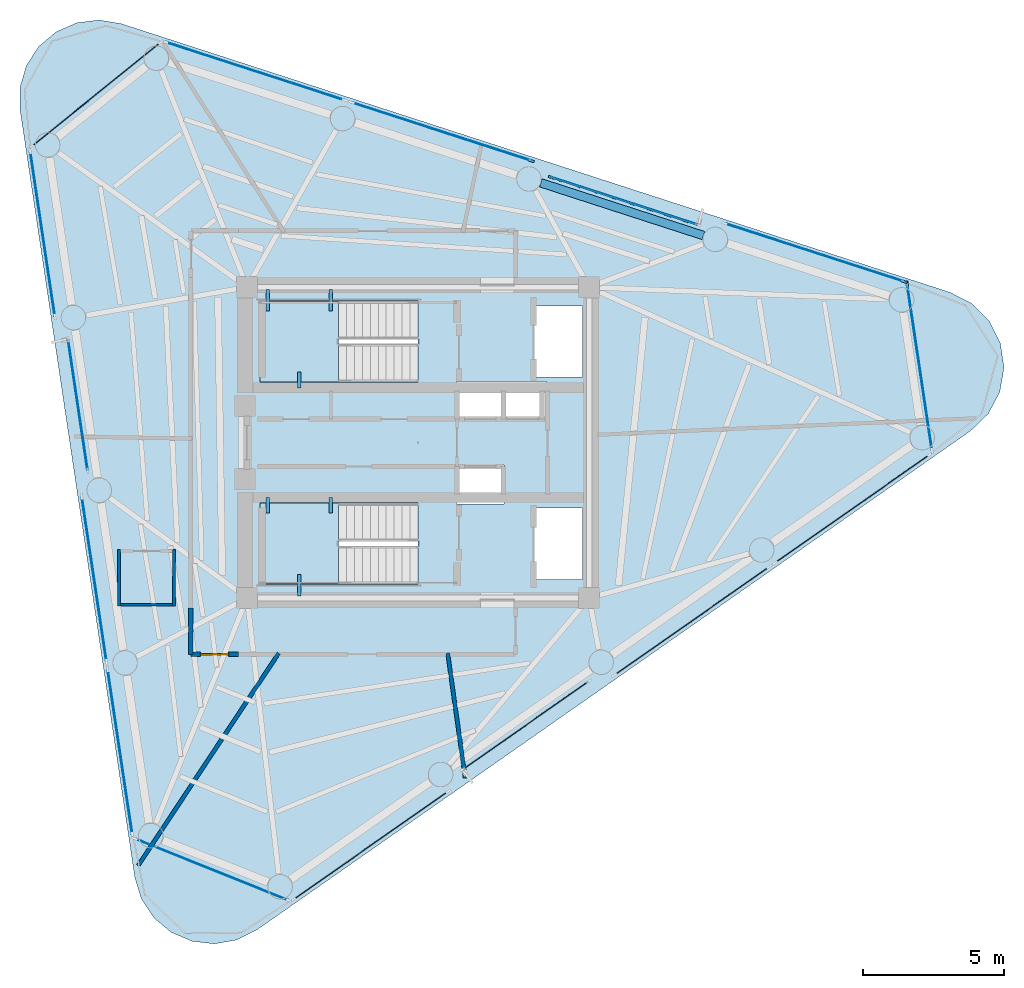
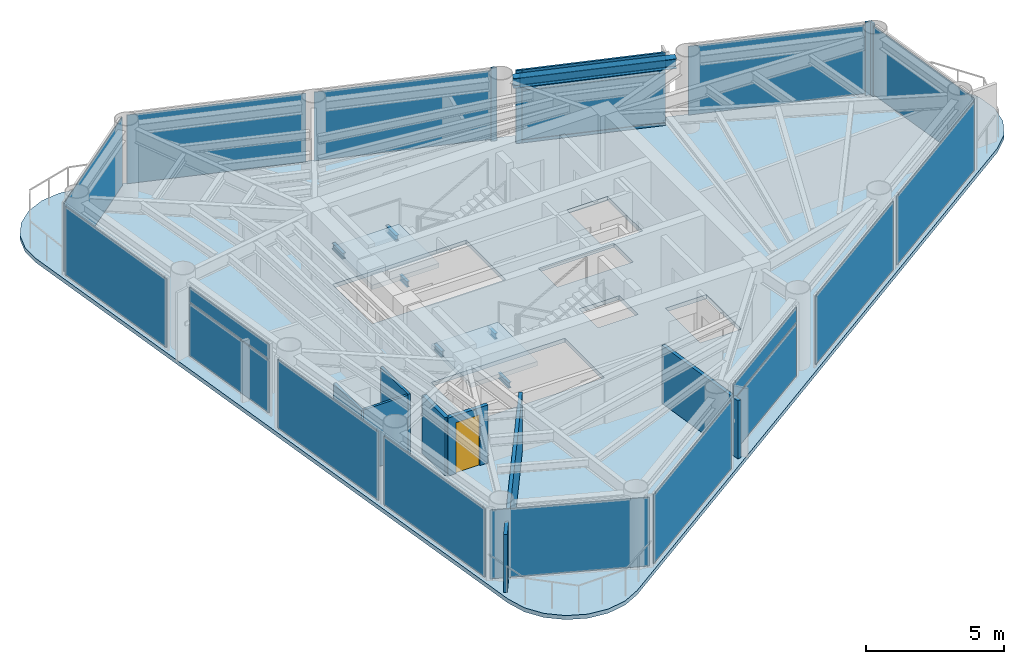
# One storey, part 4 of 9: 18 plates, 7 beams, 7 members, 7 walls, 3 slabs, 1 door, 1 opening, 17 elements without a shape of their own.
"""IFC4 building model written with IfcOpenShell, lengths in metres."""

from ifc_helpers import new_model, si_unit, direction, frame, frame_2d, origin, origin_2d, place, context, subcontext, project, spatial, polyline, rectangle, i_section, outline, extrude, source, transform, mapped, material, layer, layer_set, material_profile, profile_set, type_object, element, fill, aggregate, save


model = new_model("IFC4")

# Units and contexts
model_context = context("Model", 3, precision=1e-05, world=origin(), true_north=direction((0.0, 1.0)))
body_context = subcontext(model_context, "Body", "Model", "MODEL_VIEW")
ifc_project = project(units=[si_unit("LENGTHUNIT", "METRE"), si_unit("AREAUNIT", "SQUARE_METRE"), si_unit("VOLUMEUNIT", "CUBIC_METRE"), si_unit("PLANEANGLEUNIT", "RADIAN"), si_unit("MASSUNIT", "GRAM", prefix="KILO")], contexts=[model_context])

# Site, building, storey
site_placement = place(None, origin())
site = spatial("IfcSite", under=ifc_project, at=site_placement, CompositionType="ELEMENT")
building_placement = place(site_placement, origin())
building = spatial("IfcBuilding", under=site, at=building_placement, Name="Yunling Apex Tower", CompositionType="ELEMENT")
storey_placement = place(building_placement, frame((0.0, 0.0, 281.35009765625)))
storey = spatial("IfcBuildingStorey", under=building, at=storey_placement, Name="L69", CompositionType="ELEMENT", Elevation=281.35009765625)

# Beams
ifc_material_1 = material(Name="Steel Q355B", Category="steel")
ifc_material_profile_1 = material_profile(ifc_material_1, i_section(OverallWidth=0.125, OverallDepth=0.25, WebThickness=0.006103515625, FlangeThickness=0.009033203125, FilletRadius=0.011962890625, at=origin_2d()))
ifc_profile_set_1 = profile_set([ifc_material_profile_1], Name="Steel Q355B")
beam_type_1 = type_object("IfcBeamType", Name="BL-LNT-1", PredefinedType="LINTEL", material=ifc_profile_set_1)
shared_shape_1 = source(origin(), body_context, "Body", "SweptSolid", [
    extrude(i_section(OverallWidth=0.125, OverallDepth=0.25, WebThickness=0.006103515625, FlangeThickness=0.009033203125, FilletRadius=0.011962890625, at=origin_2d()), origin(), (0.0, 0.0, 1.0), 0.760009765625),
])
for number, where, z_axis, x_axis, name in (
    (1, (-5.320068359375, 5.419921875, 1.3798828125), (0.0, -1.0, 0.0), (1.0, 0.0, 0.0), "L69 ST-1 Landing Bearing Corbel 1-1"),
    (2, (-3.090087890625, 5.419921875, 1.3798828125), (0.0, -1.0, 0.0), (1.0, 0.0, 0.0), "L69 ST-1 Landing Bearing Corbel 1-2"),
    (3, (-4.205078125, -5.419921875, 1.3798828125), (0.0, 1.0, 0.0), (-1.0, 0.0, 0.0), "L69 ST-2 Landing Bearing Corbel 1-3"),
):
    element("IfcBeam", number, at=place(storey_placement, frame(where, z_axis=z_axis, x_axis=x_axis)), inside=storey, type_object=beam_type_1, Name=name, PredefinedType="LINTEL", context=body_context, shape_type="MappedRepresentation", body=[
        mapped(shared_shape_1, transform((0.0, 0.0, 0.0), scale=1.0)),
    ])
shared_shape_2 = source(origin(), body_context, "Body", "SweptSolid", [
    extrude(i_section(OverallWidth=0.125, OverallDepth=0.25, WebThickness=0.006103515625, FlangeThickness=0.009033203125, FilletRadius=0.011962890625, at=origin_2d()), origin(), (0.0, 0.0, 1.0), 0.550048828125),
])
for number, where, z_axis, x_axis, name in (
    (4, (-4.205078125, 1.93994140625, 1.3798828125), (0.0, 1.0, 0.0), (-1.0, 0.0, 0.0), "L69 ST-1 Landing Bearing Corbel 1-3"),
    (5, (-5.320068359375, -1.93994140625, 1.3798828125), (0.0, -1.0, 0.0), (1.0, 0.0, 0.0), "L69 ST-2 Landing Bearing Corbel 1-1"),
    (6, (-3.090087890625, -1.93994140625, 1.3798828125), (0.0, -1.0, 0.0), (1.0, 0.0, 0.0), "L69 ST-2 Landing Bearing Corbel 1-2"),
):
    element("IfcBeam", number, at=place(storey_placement, frame(where, z_axis=z_axis, x_axis=x_axis)), inside=storey, type_object=beam_type_1, Name=name, PredefinedType="LINTEL", context=body_context, shape_type="MappedRepresentation", body=[
        mapped(shared_shape_2, transform((0.0, 0.0, 0.0), scale=1.0)),
    ])
ifc_material_profile_2 = material_profile(ifc_material_1, i_section(OverallWidth=0.300048828125, OverallDepth=0.43994140625, WebThickness=0.010986328125, FlangeThickness=0.01806640625, FilletRadius=0.02197265625, at=origin_2d()))
ifc_profile_set_2 = profile_set([ifc_material_profile_2], Name="Steel Q355B")
beam_type_2 = type_object("IfcBeamType", Name="BP-SPN-3", PredefinedType="SPANDREL", material=ifc_profile_set_2)
shared_shape_3 = source(origin(), body_context, "Body", "SweptSolid", [
    extrude(i_section(OverallWidth=0.300048828125, OverallDepth=0.43994140625, WebThickness=0.010986328125, FlangeThickness=0.01806640625, FilletRadius=0.02197265625, at=origin_2d()), origin(), (0.0, 0.0, 1.0), 6.04345703125),
])
beam_placement = place(storey_placement, frame((10.09375, 7.326904296875, 2.9599609375), z_axis=(-0.951272468705, 0.308351569289, 0.0), x_axis=(-0.308351569289, -0.951272468705, 0.0)))
element("IfcBeam", 7, at=beam_placement, inside=storey, type_object=beam_type_2, Name="L69 Perimeter Spandrel Beam 7", PredefinedType="SPANDREL", context=body_context, shape_type="MappedRepresentation", body=[
    mapped(shared_shape_3, transform((0.0, 0.0, 0.0), scale=1.0)),
])

# Curtain wall, member
ifc_material_2 = material(Name="Bronze anodised aluminium", Category="aluminium")
ifc_layer_1 = layer(ifc_material_2, 0.219970703125)
ifc_layer_set_1 = layer_set([ifc_layer_1], Name="Bronze anodised aluminium")
curtain_wall_type = type_object("IfcCurtainWallType", Name="CW-SYS-4", PredefinedType="NOTDEFINED", material=ifc_layer_set_1)
curtain_wall_1_placement = place(storey_placement, origin())
curtain_wall_1 = element("IfcCurtainWall", 8, at=curtain_wall_1_placement, inside=storey, type_object=curtain_wall_type, Name="CW-L69-CRN1", PredefinedType="NOTDEFINED")
ifc_material_profile_3 = material_profile(ifc_material_2, rectangle(XDim=0.080078125, YDim=0.219970703125, at=origin_2d()))
ifc_profile_set_3 = profile_set([ifc_material_profile_3], Name="Bronze anodised aluminium")
member_type_1 = type_object("IfcMemberType", Name="CW-MUL-4", PredefinedType="MULLION", material=ifc_profile_set_3)
shared_shape_4 = source(origin(), body_context, "Body", "SweptSolid", [
    extrude(rectangle(XDim=0.080078125, YDim=0.219970703125, at=origin_2d()), origin(), (0.0, 0.0, 1.0), 3.280029296875),
])
member_1_placement = place(storey_placement, frame((17.307373046875, 5.6025390625, -0.050048828125), z_axis=(0.0, 0.0, 1.0), x_axis=(-0.989016885218, -0.147802573571, 0.0)))
member_1 = element("IfcMember", 9, at=member_1_placement, type_object=member_type_1, Name="CW-SYS-4 mullion 2", PredefinedType="MULLION", context=body_context, shape_type="MappedRepresentation", body=[
    mapped(shared_shape_4, transform((0.0, 0.0, 0.0), scale=1.0)),
])

curtain_wall_2_placement = place(storey_placement, origin())
curtain_wall_2 = element("IfcCurtainWall", 10, at=curtain_wall_2_placement, inside=storey, type_object=curtain_wall_type, Name="CW-L69-F2-B1", PredefinedType="NOTDEFINED")
member_2_placement = place(storey_placement, frame((17.193359375, 5.6982421875, -0.050048828125), z_axis=(0.0, 0.0, 1.0), x_axis=(-0.308353381834, -0.951271881173, 0.0)))
member_2 = element("IfcMember", 11, at=member_2_placement, type_object=member_type_1, Name="CW-SYS-4 mullion 1", PredefinedType="MULLION", context=body_context, shape_type="MappedRepresentation", body=[
    mapped(shared_shape_4, transform((0.0, 0.0, 0.0), scale=1.0)),
])

curtain_wall_3_placement = place(storey_placement, origin())
curtain_wall_3 = element("IfcCurtainWall", 12, at=curtain_wall_3_placement, inside=storey, type_object=curtain_wall_type, Name="CW-L69-F2-B2", PredefinedType="NOTDEFINED")
member_3_placement = place(storey_placement, frame((4.71875, 9.384521484375, -0.050048828125), z_axis=(0.0, 0.0, 1.0), x_axis=(-0.30836941685, -0.951266683297, 0.0)))
member_3 = element("IfcMember", 13, at=member_3_placement, type_object=member_type_1, Name="CW-SYS-4 mullion 2", PredefinedType="MULLION", context=body_context, shape_type="MappedRepresentation", body=[
    mapped(shared_shape_4, transform((0.0, 0.0, 0.0), scale=1.0)),
])

curtain_wall_4_placement = place(storey_placement, origin())
curtain_wall_4 = element("IfcCurtainWall", 14, at=curtain_wall_4_placement, inside=storey, type_object=curtain_wall_type, Name="CW-L69-F2-B3", PredefinedType="NOTDEFINED")
member_4_placement = place(storey_placement, frame((4.00537109375, 9.97314453125, -0.050048828125), z_axis=(0.0, 0.0, 1.0), x_axis=(-0.308371076658, -0.95126614524, 0.0)))
member_4 = element("IfcMember", 15, at=member_4_placement, type_object=member_type_1, Name="CW-SYS-4 mullion 1", PredefinedType="MULLION", context=body_context, shape_type="MappedRepresentation", body=[
    mapped(shared_shape_4, transform((0.0, 0.0, 0.0), scale=1.0)),
])

# Member
ifc_material_profile_4 = material_profile(ifc_material_2, rectangle(XDim=0.080078125, YDim=0.169921875, at=origin_2d()))
ifc_profile_set_4 = profile_set([ifc_material_profile_4], Name="Bronze anodised aluminium")
member_type_2 = type_object("IfcMemberType", Name="CW-TRN-4", PredefinedType="USERDEFINED", material=ifc_profile_set_4)
shared_shape_5 = source(origin(), body_context, "Body", "SweptSolid", [
    extrude(rectangle(XDim=0.080078125, YDim=0.169921875, at=origin_2d()), origin(), (0.0, 0.0, 1.0), 5.3798828125),
])
member_5_placement = place(storey_placement, frame((9.87060546875, 7.71435546875, 0.039794921875), z_axis=(-0.951269238612, 0.308361534032, 0.0), x_axis=(-0.308361534032, -0.951269238612, 0.0)))
member_5 = element("IfcMember", 16, at=member_5_placement, type_object=member_type_2, Name="CW-SYS-4 transom 1.1", ObjectType="TRANSOM", PredefinedType="USERDEFINED", context=body_context, shape_type="MappedRepresentation", body=[
    mapped(shared_shape_5, transform((0.0, 0.0, 0.0), scale=1.0)),
])

member_6_placement = place(storey_placement, frame((9.87060546875, 7.71435546875, 2.416748046875), z_axis=(-0.951269238612, 0.308361534032, 0.0), x_axis=(-0.308361534032, -0.951269238612, 0.0)))
member_6 = element("IfcMember", 17, at=member_6_placement, type_object=member_type_2, Name="CW-SYS-4 transom 1.2", ObjectType="TRANSOM", PredefinedType="USERDEFINED", context=body_context, shape_type="MappedRepresentation", body=[
    mapped(shared_shape_5, transform((0.0, 0.0, 0.0), scale=1.0)),
])

member_7_placement = place(storey_placement, frame((9.87060546875, 7.71435546875, 3.139892578125), z_axis=(-0.951269238612, 0.308361534032, 0.0), x_axis=(-0.308361534032, -0.951269238612, 0.0)))
member_7 = element("IfcMember", 18, at=member_7_placement, type_object=member_type_2, Name="CW-SYS-4 transom 1.3", ObjectType="TRANSOM", PredefinedType="USERDEFINED", context=body_context, shape_type="MappedRepresentation", body=[
    mapped(shared_shape_5, transform((0.0, 0.0, 0.0), scale=1.0)),
])

# Slab
ifc_material_3 = material(Name="Concrete C40", Category="concrete")
ifc_layer_2 = layer(ifc_material_3, 0.155029296875)
ifc_layer_set_2 = layer_set([ifc_layer_2], Name="Concrete C40")
slab_type_1 = type_object("IfcSlabType", Name="SL-FLR-3", PredefinedType="FLOOR", material=ifc_layer_set_2)
slab_1_placement = place(storey_placement, frame((0.0, 0.0, -0.18017578125)))
element("IfcSlab", 19, at=slab_1_placement, inside=storey, type_object=slab_type_1, Name="L69 Composite Tower Floor Slab", PredefinedType="FLOOR", context=body_context, shape_type="SweptSolid", body=[
    extrude(outline(polyline([(-10.026123046875, -15.378173828125), (-9.794189453125, -16.145263671875), (-9.352294921875, -16.81396484375), (-8.737548828125, -17.328125), (-8.001220703125, -17.64501953125), (-7.205078125, -17.7373046875), (-6.415771484375, -17.59814453125), (-5.69921875, -17.23876953125), (19.549072265625, 0.414306640625), (20.177490234375, 1.021728515625), (20.585205078125, 1.794921875), (20.731689453125, 2.656494140625), (20.6025390625, 3.52099609375), (20.21044921875, 4.302001953125), (19.594482421875, 4.922119140625), (18.81591796875, 5.3193359375), (-10.490478515625, 14.819091796875), (-11.280517578125, 14.95361328125), (-12.076171875, 14.855712890625), (-12.810302734375, 14.534423828125), (-13.422119140625, 14.016357421875), (-13.859619140625, 13.344970703125), (-14.086669921875, 12.576416015625), (-14.083984375, 11.77490234375), (-10.026123046875, -15.378173828125)]), holes=[polyline([(4.090087890625, 4.840087890625), (5.81005859375, 4.840087890625), (5.81005859375, 2.320068359375), (4.090087890625, 2.320068359375), (4.090087890625, 4.840087890625)]), polyline([(4.090087890625, -4.840087890625), (4.090087890625, -2.320068359375), (5.81005859375, -2.320068359375), (5.81005859375, -4.840087890625), (4.090087890625, -4.840087890625)]), polyline([(4.534912109375, 0.794921875), (1.364990234375, 0.794921875), (1.364990234375, 2.1650390625), (4.534912109375, 2.1650390625), (4.534912109375, 0.794921875)]), polyline([(1.364990234375, -0.794921875), (3.034912109375, -0.794921875), (3.034912109375, -2.1650390625), (1.364990234375, -2.1650390625), (1.364990234375, -0.794921875)]), polyline([(-0.010009765625, -5.010009765625), (-5.60009765625, -5.010009765625), (-5.60009765625, -2.139892578125), (-0.010009765625, -2.139892578125), (-0.010009765625, -5.010009765625)]), polyline([(-0.010009765625, 2.139892578125), (-5.60009765625, 2.139892578125), (-5.60009765625, 5.010009765625), (-0.010009765625, 5.010009765625), (-0.010009765625, 2.139892578125)])]), origin(), (0.0, 0.0, 1.0), 0.18017578125),
])

# Stair, slab
stair_type = type_object("IfcStairType", Name="ST-TWR-3", PredefinedType="HALF_TURN_STAIR", material=ifc_material_3)
stair_1_placement = place(storey_placement, origin())
stair_1 = element("IfcStair", 20, at=stair_1_placement, inside=storey, type_object=stair_type, Name="L69 North Core Smokeproof Exit Stair ST-1", PredefinedType="HALF_TURN_STAIR")
ifc_layer_3 = layer(ifc_material_3, 0.195068359375)
ifc_layer_set_3 = layer_set([ifc_layer_3], Name="Concrete C40")
slab_type_2 = type_object("IfcSlabType", Name="SL-LND-1", PredefinedType="LANDING", material=ifc_layer_set_3)
slab_2_placement = place(storey_placement, frame((0.0, 0.0, 1.5048828125)))
slab_2 = element("IfcSlab", 21, at=slab_2_placement, type_object=slab_type_2, Name="ST-1 landing 1", PredefinedType="LANDING", context=body_context, shape_type="SweptSolid", body=[
    extrude(outline(polyline([(-2.81005859375, 5.010009765625), (-5.60009765625, 5.010009765625), (-5.60009765625, 2.139892578125), (-2.81005859375, 2.139892578125), (-2.81005859375, 5.010009765625)])), origin(), (0.0, 0.0, 1.0), 0.195068359375),
])
aggregate(stair_1, [slab_2])

stair_2_placement = place(storey_placement, origin())
stair_2 = element("IfcStair", 22, at=stair_2_placement, inside=storey, type_object=stair_type, Name="L69 South Core Smokeproof Exit Stair ST-2", PredefinedType="HALF_TURN_STAIR")
slab_3_placement = place(storey_placement, frame((0.0, 0.0, 1.5048828125)))
slab_3 = element("IfcSlab", 23, at=slab_3_placement, type_object=slab_type_2, Name="ST-2 landing 1", PredefinedType="LANDING", context=body_context, shape_type="SweptSolid", body=[
    extrude(outline(polyline([(-2.81005859375, -2.139892578125), (-5.60009765625, -2.139892578125), (-5.60009765625, -5.010009765625), (-2.81005859375, -5.010009765625), (-2.81005859375, -2.139892578125)])), origin(), (0.0, 0.0, 1.0), 0.195068359375),
])
aggregate(stair_2, [slab_3])

# Curtain wall, plate
curtain_wall_5_placement = place(storey_placement, origin())
curtain_wall_5 = element("IfcCurtainWall", 24, at=curtain_wall_5_placement, inside=storey, type_object=curtain_wall_type, Name="CW-L69-F1-B1", PredefinedType="NOTDEFINED")
ifc_material_4 = material(Name="Bronze tinted low-E glass", Category="glass")
ifc_layer_4 = layer(ifc_material_4, 0.030029296875)
ifc_layer_set_4 = layer_set([ifc_layer_4], Name="Bronze tinted low-E glass")
plate_type = type_object("IfcPlateType", Name="CW-PNL-4", PredefinedType="CURTAIN_PANEL", material=ifc_layer_set_4)
shared_shape_6 = source(origin(), body_context, "Body", "SweptSolid", [
    extrude(rectangle(XDim=6.627685546875, YDim=0.030029296875, at=origin_2d()), origin(), (0.0, 0.0, 1.0), 3.035888671875),
])
plate_1_placement = place(storey_placement, frame((-1.6767578125, -14.25537109375, 0.07177734375), z_axis=(0.0, 0.0, 1.0), x_axis=(0.819555084976, 0.573000403744, 0.0)))
plate_1 = element("IfcPlate", 25, at=plate_1_placement, type_object=plate_type, Name="CW-SYS-4 panel 1.1", PredefinedType="CURTAIN_PANEL", context=body_context, shape_type="MappedRepresentation", body=[
    mapped(shared_shape_6, transform((0.0, 0.0, 0.0), scale=1.0)),
])
aggregate(curtain_wall_5, [plate_1])

curtain_wall_6_placement = place(storey_placement, origin())
curtain_wall_6 = element("IfcCurtainWall", 26, at=curtain_wall_6_placement, inside=storey, type_object=curtain_wall_type, Name="CW-L69-F1-B3", PredefinedType="NOTDEFINED")
plate_2_placement = place(storey_placement, frame((9.68505859375, -6.3115234375, 0.07177734375), z_axis=(0.0, 0.0, 1.0), x_axis=(0.81954815017, 0.573010322379, 0.0)))
plate_2 = element("IfcPlate", 27, at=plate_2_placement, type_object=plate_type, Name="CW-SYS-4 panel 1.1", PredefinedType="CURTAIN_PANEL", context=body_context, shape_type="MappedRepresentation", body=[
    mapped(shared_shape_6, transform((0.0, 0.0, 0.0), scale=1.0)),
])
aggregate(curtain_wall_6, [plate_2])

curtain_wall_7_placement = place(storey_placement, origin())
curtain_wall_7 = element("IfcCurtainWall", 28, at=curtain_wall_7_placement, inside=storey, type_object=curtain_wall_type, Name="CW-L69-F1-B4", PredefinedType="NOTDEFINED")
plate_3_placement = place(storey_placement, frame((15.365966796875, -2.339599609375, 0.07177734375), z_axis=(0.0, 0.0, 1.0), x_axis=(0.819555084976, 0.573000403744, 0.0)))
plate_3 = element("IfcPlate", 29, at=plate_3_placement, type_object=plate_type, Name="CW-SYS-4 panel 1.1", PredefinedType="CURTAIN_PANEL", context=body_context, shape_type="MappedRepresentation", body=[
    mapped(shared_shape_6, transform((0.0, 0.0, 0.0), scale=1.0)),
])
aggregate(curtain_wall_7, [plate_3])

# Plate
plate_4_placement = place(storey_placement, frame((14.010498046875, 6.72998046875, 0.07177734375), z_axis=(0.0, 0.0, 1.0), x_axis=(-0.951271881173, 0.308353381834, 0.0)))
plate_4 = element("IfcPlate", 30, at=plate_4_placement, type_object=plate_type, Name="CW-SYS-4 panel 1.1", PredefinedType="CURTAIN_PANEL", context=body_context, shape_type="MappedRepresentation", body=[
    mapped(shared_shape_6, transform((0.0, 0.0, 0.0), scale=1.0)),
])

aggregate(curtain_wall_2, [member_2, plate_4])

plate_5_placement = place(storey_placement, frame((0.82275390625, 11.0048828125, 0.07177734375), z_axis=(0.0, 0.0, 1.0), x_axis=(-0.95126614524, 0.308371076658, 0.0)))
plate_5 = element("IfcPlate", 31, at=plate_5_placement, type_object=plate_type, Name="CW-SYS-4 panel 1.1", PredefinedType="CURTAIN_PANEL", context=body_context, shape_type="MappedRepresentation", body=[
    mapped(shared_shape_6, transform((0.0, 0.0, 0.0), scale=1.0)),
])

aggregate(curtain_wall_4, [member_4, plate_5])

# Curtain wall, plate
curtain_wall_8_placement = place(storey_placement, origin())
curtain_wall_8 = element("IfcCurtainWall", 32, at=curtain_wall_8_placement, inside=storey, type_object=curtain_wall_type, Name="CW-L69-F2-B4", PredefinedType="NOTDEFINED")
plate_6_placement = place(storey_placement, frame((-5.771240234375, 13.142333984375, 0.07177734375), z_axis=(0.0, 0.0, 1.0), x_axis=(-0.951271881173, 0.308353381834, 0.0)))
plate_6 = element("IfcPlate", 33, at=plate_6_placement, type_object=plate_type, Name="CW-SYS-4 panel 1.1", PredefinedType="CURTAIN_PANEL", context=body_context, shape_type="MappedRepresentation", body=[
    mapped(shared_shape_6, transform((0.0, 0.0, 0.0), scale=1.0)),
])
aggregate(curtain_wall_8, [plate_6])

curtain_wall_9_placement = place(storey_placement, origin())
curtain_wall_9 = element("IfcCurtainWall", 34, at=curtain_wall_9_placement, inside=storey, type_object=curtain_wall_type, Name="CW-L69-F1-B2", PredefinedType="NOTDEFINED")
shared_shape_7 = source(origin(), body_context, "Body", "SweptSolid", [
    extrude(rectangle(XDim=5.3876953125, YDim=0.030029296875, at=origin_2d()), origin(), (0.0, 0.0, 1.0), 2.312744140625),
])
plate_7_placement = place(storey_placement, frame((3.809326171875, -10.0048828125, 0.07177734375), z_axis=(0.0, 0.0, 1.0), x_axis=(0.819556211708, 0.57299879219, 0.0)))
plate_7 = element("IfcPlate", 35, at=plate_7_placement, type_object=plate_type, Name="CW-SYS-4 panel 1.1", PredefinedType="CURTAIN_PANEL", context=body_context, shape_type="MappedRepresentation", body=[
    mapped(shared_shape_7, transform((0.0, 0.0, 0.0), scale=1.0)),
])

# Plate
plate_8_placement = place(storey_placement, frame((7.311767578125, 8.5439453125, 0.07177734375), z_axis=(0.0, 0.0, 1.0), x_axis=(-0.951266683297, 0.30836941685, 0.0)))
plate_8 = element("IfcPlate", 36, at=plate_8_placement, type_object=plate_type, Name="CW-SYS-4 panel 1.1", PredefinedType="CURTAIN_PANEL", context=body_context, shape_type="MappedRepresentation", body=[
    mapped(shared_shape_7, transform((0.0, 0.0, 0.0), scale=1.0)),
])

shared_shape_8 = source(origin(), body_context, "Body", "SweptSolid", [
    extrude(rectangle(XDim=5.3876953125, YDim=0.030029296875, at=origin_2d()), origin(), (0.0, 0.0, 1.0), 0.6591796875),
])
plate_9_placement = place(storey_placement, frame((3.809326171875, -10.0048828125, 2.44873046875), z_axis=(0.0, 0.0, 1.0), x_axis=(0.819556211708, 0.57299879219, 0.0)))
plate_9 = element("IfcPlate", 37, at=plate_9_placement, type_object=plate_type, Name="CW-SYS-4 panel 1.2", PredefinedType="CURTAIN_PANEL", context=body_context, shape_type="MappedRepresentation", body=[
    mapped(shared_shape_8, transform((0.0, 0.0, 0.0), scale=1.0)),
])

aggregate(curtain_wall_9, [plate_7, plate_9])

plate_10_placement = place(storey_placement, frame((7.311767578125, 8.5439453125, 2.44873046875), z_axis=(0.0, 0.0, 1.0), x_axis=(-0.951266683297, 0.30836941685, 0.0)))
plate_10 = element("IfcPlate", 38, at=plate_10_placement, type_object=plate_type, Name="CW-SYS-4 panel 1.2", PredefinedType="CURTAIN_PANEL", context=body_context, shape_type="MappedRepresentation", body=[
    mapped(shared_shape_8, transform((0.0, 0.0, 0.0), scale=1.0)),
])

aggregate(curtain_wall_3, [member_3, member_5, member_6, member_7, plate_8, plate_10])

shared_shape_9 = source(origin(), body_context, "Body", "SweptSolid", [
    extrude(rectangle(XDim=5.90185546875, YDim=0.030029296875, at=origin_2d()), origin(), (0.0, 0.0, 1.0), 3.035888671875),
])
plate_11_placement = place(storey_placement, frame((17.748291015625, 2.65234375, 0.07177734375), z_axis=(0.0, 0.0, 1.0), x_axis=(-0.147802573571, 0.989016885218, 0.0)))
plate_11 = element("IfcPlate", 39, at=plate_11_placement, type_object=plate_type, Name="CW-SYS-4 panel 1.1", PredefinedType="CURTAIN_PANEL", context=body_context, shape_type="MappedRepresentation", body=[
    mapped(shared_shape_9, transform((0.0, 0.0, 0.0), scale=1.0)),
])

aggregate(curtain_wall_1, [member_1, plate_11])

# Curtain wall, plate
curtain_wall_10_placement = place(storey_placement, origin())
curtain_wall_10 = element("IfcCurtainWall", 40, at=curtain_wall_10_placement, inside=storey, type_object=curtain_wall_type, Name="CW-L69-CRN2", PredefinedType="NOTDEFINED")
shared_shape_10 = source(origin(), body_context, "Body", "SweptSolid", [
    extrude(rectangle(XDim=5.829345703125, YDim=0.030029296875, at=origin_2d()), origin(), (0.0, 0.0, 1.0), 3.035888671875),
])
plate_12_placement = place(storey_placement, frame((-11.398681640625, 12.31640625, 0.07177734375), z_axis=(0.0, 0.0, 1.0), x_axis=(-0.778222477019, -0.627988675266, 0.0)))
plate_12 = element("IfcPlate", 41, at=plate_12_placement, type_object=plate_type, Name="CW-SYS-4 panel 1.1", PredefinedType="CURTAIN_PANEL", context=body_context, shape_type="MappedRepresentation", body=[
    mapped(shared_shape_10, transform((0.0, 0.0, 0.0), scale=1.0)),
])
aggregate(curtain_wall_10, [plate_12])

curtain_wall_11_placement = place(storey_placement, origin())
curtain_wall_11 = element("IfcCurtainWall", 42, at=curtain_wall_11_placement, inside=storey, type_object=curtain_wall_type, Name="CW-L69-CRN3", PredefinedType="NOTDEFINED")
plate_13_placement = place(storey_placement, frame((-7.2998046875, -15.11083984375, 0.07177734375), z_axis=(0.0, 0.0, 1.0), x_axis=(0.927827569859, -0.373009384078, 0.0)))
plate_13 = element("IfcPlate", 43, at=plate_13_placement, type_object=plate_type, Name="CW-SYS-4 panel 1.1", PredefinedType="CURTAIN_PANEL", context=body_context, shape_type="MappedRepresentation", body=[
    mapped(shared_shape_10, transform((0.0, 0.0, 0.0), scale=1.0)),
])
aggregate(curtain_wall_11, [plate_13])

curtain_wall_12_placement = place(storey_placement, origin())
curtain_wall_12 = element("IfcCurtainWall", 44, at=curtain_wall_12_placement, inside=storey, type_object=curtain_wall_type, Name="CW-L69-F3-B1", PredefinedType="NOTDEFINED")
shared_shape_11 = source(origin(), body_context, "Body", "SweptSolid", [
    extrude(rectangle(XDim=5.873291015625, YDim=0.030029296875, at=origin_2d()), origin(), (0.0, 0.0, 1.0), 3.035888671875),
])
plate_14_placement = place(storey_placement, frame((-13.2861328125, 7.38330078125, 0.07177734375), z_axis=(0.0, 0.0, 1.0), x_axis=(0.147807330522, -0.989016174309, 0.0)))
plate_14 = element("IfcPlate", 45, at=plate_14_placement, type_object=plate_type, Name="CW-SYS-4 panel 1.1", PredefinedType="CURTAIN_PANEL", context=body_context, shape_type="MappedRepresentation", body=[
    mapped(shared_shape_11, transform((0.0, 0.0, 0.0), scale=1.0)),
])
aggregate(curtain_wall_12, [plate_14])

curtain_wall_13_placement = place(storey_placement, origin())
curtain_wall_13 = element("IfcCurtainWall", 46, at=curtain_wall_13_placement, inside=storey, type_object=curtain_wall_type, Name="CW-L69-F3-B3", PredefinedType="NOTDEFINED")
plate_15_placement = place(storey_placement, frame((-11.460205078125, -4.835693359375, 0.07177734375), z_axis=(0.0, 0.0, 1.0), x_axis=(0.147807330522, -0.989016174309, 0.0)))
plate_15 = element("IfcPlate", 47, at=plate_15_placement, type_object=plate_type, Name="CW-SYS-4 panel 1.1", PredefinedType="CURTAIN_PANEL", context=body_context, shape_type="MappedRepresentation", body=[
    mapped(shared_shape_11, transform((0.0, 0.0, 0.0), scale=1.0)),
])
aggregate(curtain_wall_13, [plate_15])

curtain_wall_14_placement = place(storey_placement, origin())
curtain_wall_14 = element("IfcCurtainWall", 48, at=curtain_wall_14_placement, inside=storey, type_object=curtain_wall_type, Name="CW-L69-F3-B4", PredefinedType="NOTDEFINED")
plate_16_placement = place(storey_placement, frame((-10.547119140625, -10.945068359375, 0.07177734375), z_axis=(0.0, 0.0, 1.0), x_axis=(0.147791074763, -0.989018603576, 0.0)))
plate_16 = element("IfcPlate", 49, at=plate_16_placement, type_object=plate_type, Name="CW-SYS-4 panel 1.1", PredefinedType="CURTAIN_PANEL", context=body_context, shape_type="MappedRepresentation", body=[
    mapped(shared_shape_11, transform((0.0, 0.0, 0.0), scale=1.0)),
])
aggregate(curtain_wall_14, [plate_16])

# Curtain wall, plates
curtain_wall_15_placement = place(storey_placement, origin())
curtain_wall_15 = element("IfcCurtainWall", 50, at=curtain_wall_15_placement, inside=storey, type_object=curtain_wall_type, Name="CW-L69-F3-B2", PredefinedType="NOTDEFINED")
shared_shape_12 = source(origin(), body_context, "Body", "SweptSolid", [
    extrude(rectangle(XDim=4.63330078125, YDim=0.030029296875, at=origin_2d()), origin(), (0.0, 0.0, 1.0), 2.312744140625),
])
plate_17_placement = place(storey_placement, frame((-12.036865234375, 1.323974609375, 0.07177734375), z_axis=(0.0, 0.0, 1.0), x_axis=(0.147804068926, -0.989016661745, 0.0)))
plate_17 = element("IfcPlate", 51, at=plate_17_placement, type_object=plate_type, Name="CW-SYS-4 panel 1.1", PredefinedType="CURTAIN_PANEL", context=body_context, shape_type="MappedRepresentation", body=[
    mapped(shared_shape_12, transform((0.0, 0.0, 0.0), scale=1.0)),
])
shared_shape_13 = source(origin(), body_context, "Body", "SweptSolid", [
    extrude(rectangle(XDim=4.63330078125, YDim=0.030029296875, at=origin_2d()), origin(), (0.0, 0.0, 1.0), 0.6591796875),
])
plate_18_placement = place(storey_placement, frame((-12.036865234375, 1.323974609375, 2.44873046875), z_axis=(0.0, 0.0, 1.0), x_axis=(0.147804068926, -0.989016661745, 0.0)))
plate_18 = element("IfcPlate", 52, at=plate_18_placement, type_object=plate_type, Name="CW-SYS-4 panel 1.2", PredefinedType="CURTAIN_PANEL", context=body_context, shape_type="MappedRepresentation", body=[
    mapped(shared_shape_13, transform((0.0, 0.0, 0.0), scale=1.0)),
])
aggregate(curtain_wall_15, [plate_17, plate_18])

# Wall, opening, door
ifc_material_5 = material(Name="Gypsum board acoustic partition")
ifc_layer_5 = layer(ifc_material_5, 0.159912109375)
ifc_layer_set_5 = layer_set([ifc_layer_5], Name="Gypsum board acoustic partition")
wall_type_1 = type_object("IfcWallType", Name="WL-PRT-1", PredefinedType="PARTITIONING", material=ifc_layer_set_5)
wall_1_placement = place(storey_placement, frame((-6.360107421875, -7.489990234375, 0.0), z_axis=(0.0, 0.0, 1.0), x_axis=(-1.0, 0.0, 0.0)))
wall_1 = element("IfcWall", 53, at=wall_1_placement, inside=storey, type_object=wall_type_1, Name="WL-CORR-L69-07", PredefinedType="PARTITIONING", context=body_context, shape_type="SweptSolid", body=[
    extrude(rectangle(XDim=1.679931640625, YDim=0.159912109375, at=frame_2d((0.83984375, 0.0))), origin(), (0.0, 0.0, 1.0), 2.56494140625),
])
opening_placement = place(wall_1_placement, frame((0.340087890625, 0.0, 0.0)))
opening = element("IfcOpeningElement", 54, at=opening_placement, cuts=wall_1, Name="Opening DR-OFF-1", PredefinedType="OPENING", context=body_context, shape_type="SweptSolid", body=[
    extrude(rectangle(XDim=1.0, YDim=2.25, at=frame_2d((0.5, 1.125))), frame((0.0, 0.08984375, 0.0), z_axis=(0.0, -1.0, 0.0), x_axis=(1.0, 0.0, 0.0)), (0.0, 0.0, 1.0), 0.179931640625),
])
door_type = type_object("IfcDoorType", Name="DR-OFF-1", OperationType="NOTDEFINED", PredefinedType="DOOR", material=ifc_material_2)
door_placement = place(opening_placement, origin())
door = element("IfcDoor", 55, at=door_placement, inside=storey, type_object=door_type, Name="L69 Concierge Reception Foyer Door", OperationType="SINGLE_SWING_RIGHT", OverallHeight=2.25, OverallWidth=1.0, PredefinedType="DOOR", context=body_context, shape_type="SweptSolid", body=[
    extrude(rectangle(XDim=1.0, YDim=2.25, at=frame_2d((0.5, 1.125))), frame((0.0, 0.02490234375, 0.0), z_axis=(0.0, -1.0, 0.0), x_axis=(1.0, 0.0, 0.0)), (0.0, 0.0, 1.0), 0.050048828125),
])
fill(opening, door)

# Walls
wall_2_placement = place(storey_placement, frame((-8.0400390625, -7.489990234375, 0.0), z_axis=(0.0, 0.0, 1.0), x_axis=(0.0, 1.0, 0.0)))
element("IfcWall", 56, at=wall_2_placement, inside=storey, type_object=wall_type_1, Name="WL-CORR-L69-08", PredefinedType="PARTITIONING", context=body_context, shape_type="SweptSolid", body=[
    extrude(rectangle(XDim=1.639892578125, YDim=0.159912109375, at=frame_2d((0.81982421875, 0.0))), origin(), (0.0, 0.0, 1.0), 2.56494140625),
])
ifc_layer_6 = layer(ifc_material_5, 0.139892578125)
ifc_layer_set_6 = layer_set([ifc_layer_6], Name="Gypsum board acoustic partition")
wall_type_2 = type_object("IfcWallType", Name="WL-PRT-2", PredefinedType="PARTITIONING", material=ifc_layer_set_6)
wall_3_placement = place(storey_placement, frame((-4.930908203125, -7.449951171875, 0.0), z_axis=(0.0, 0.0, 1.0), x_axis=(-0.551953051788, -0.833875187676, 0.0)))
element("IfcWall", 57, at=wall_3_placement, inside=storey, type_object=wall_type_2, Name="WL-RAD-L69-05", PredefinedType="PARTITIONING", context=body_context, shape_type="SweptSolid", body=[
    extrude(rectangle(XDim=9.01318359375, YDim=0.139892578125, at=frame_2d((4.506591796875, 0.0))), origin(), (0.0, 0.0, 1.0), 2.56494140625),
])
wall_4_placement = place(storey_placement, frame((1.047119140625, -7.449951171875, 0.0), z_axis=(0.0, 0.0, 1.0), x_axis=(0.139153381551, -0.990270839924, 0.0)))
element("IfcWall", 58, at=wall_4_placement, inside=storey, type_object=wall_type_2, Name="WL-RAD-L69-06", PredefinedType="PARTITIONING", context=body_context, shape_type="SweptSolid", body=[
    extrude(rectangle(XDim=4.461669921875, YDim=0.139892578125, at=frame_2d((2.23095703125, 0.0))), origin(), (0.0, 0.0, 1.0), 2.56494140625),
])
ifc_layer_7 = layer(ifc_material_5, 0.10009765625)
ifc_layer_set_7 = layer_set([ifc_layer_7], Name="Gypsum board acoustic partition")
wall_type_3 = type_object("IfcWallType", Name="WL-PRT-4", PredefinedType="PARTITIONING", material=ifc_layer_set_7)
wall_5_placement = place(storey_placement, frame((-8.58203125, -5.737060546875, 0.0), z_axis=(0.0, 0.0, 1.0), x_axis=(-1.0, 0.0, 0.0)))
element("IfcWall", 59, at=wall_5_placement, inside=storey, type_object=wall_type_3, Name="WL-L69-RWC1S", PredefinedType="PARTITIONING", context=body_context, shape_type="SweptSolid", body=[
    extrude(rectangle(XDim=2.050048828125, YDim=0.10009765625, at=frame_2d((1.02490234375, 0.0))), origin(), (0.0, 0.0, 1.0), 2.724853515625),
])
wall_6_placement = place(storey_placement, frame((-8.632080078125, -3.787109375, 0.0), z_axis=(0.0, 0.0, 1.0), x_axis=(0.0, -1.0, 0.0)))
element("IfcWall", 60, at=wall_6_placement, inside=storey, type_object=wall_type_3, Name="WL-L69-RWC1E", PredefinedType="PARTITIONING", context=body_context, shape_type="SweptSolid", body=[
    extrude(rectangle(XDim=2.0, YDim=0.10009765625, at=frame_2d((1.0, 0.0))), origin(), (0.0, 0.0, 1.0), 2.764892578125),
])
wall_7_placement = place(storey_placement, frame((-10.58203125, -5.787109375, 0.0), z_axis=(0.0, 0.0, 1.0), x_axis=(0.0, 1.0, 0.0)))
element("IfcWall", 61, at=wall_7_placement, inside=storey, type_object=wall_type_3, Name="WL-L69-RWC1W", PredefinedType="PARTITIONING", context=body_context, shape_type="SweptSolid", body=[
    extrude(rectangle(XDim=2.0, YDim=0.10009765625, at=frame_2d((1.0, 0.0))), origin(), (0.0, 0.0, 1.0), 2.724853515625),
])

save(model, "model.ifc")
